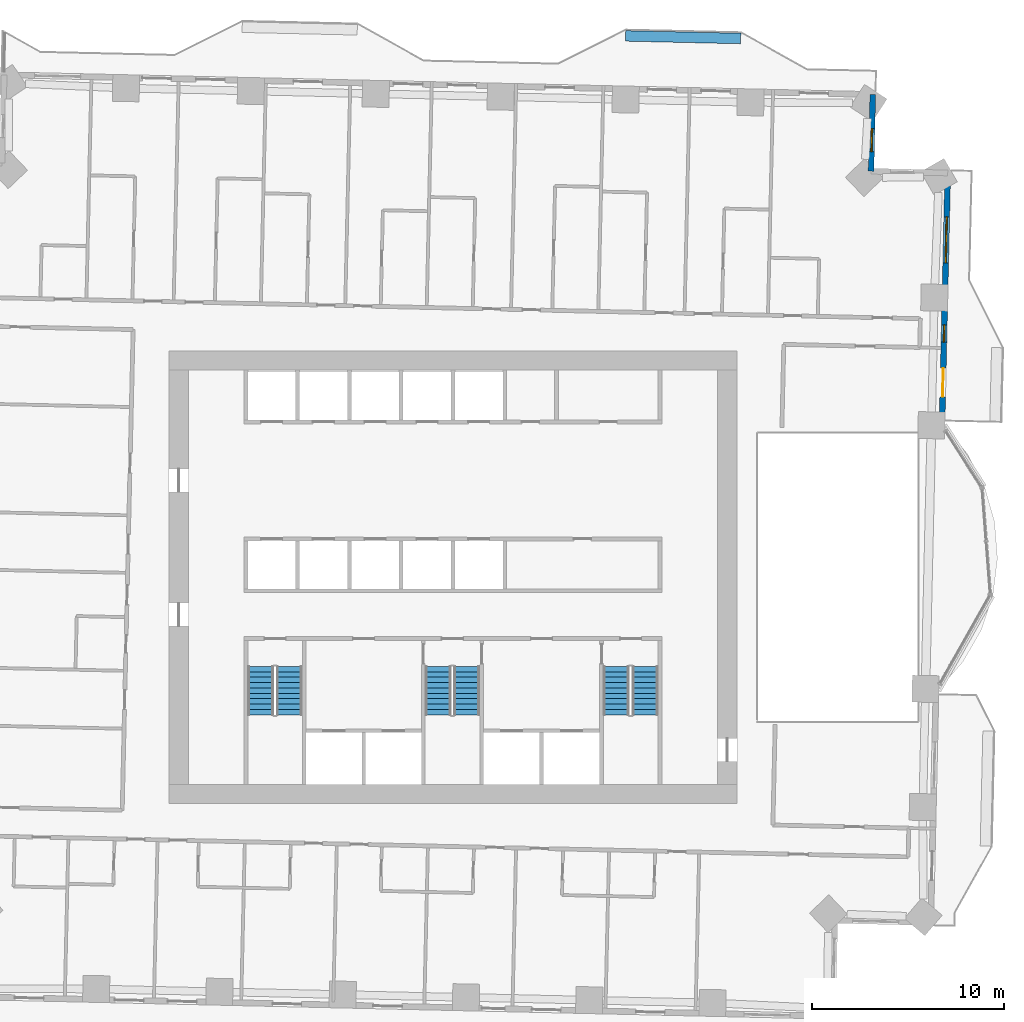
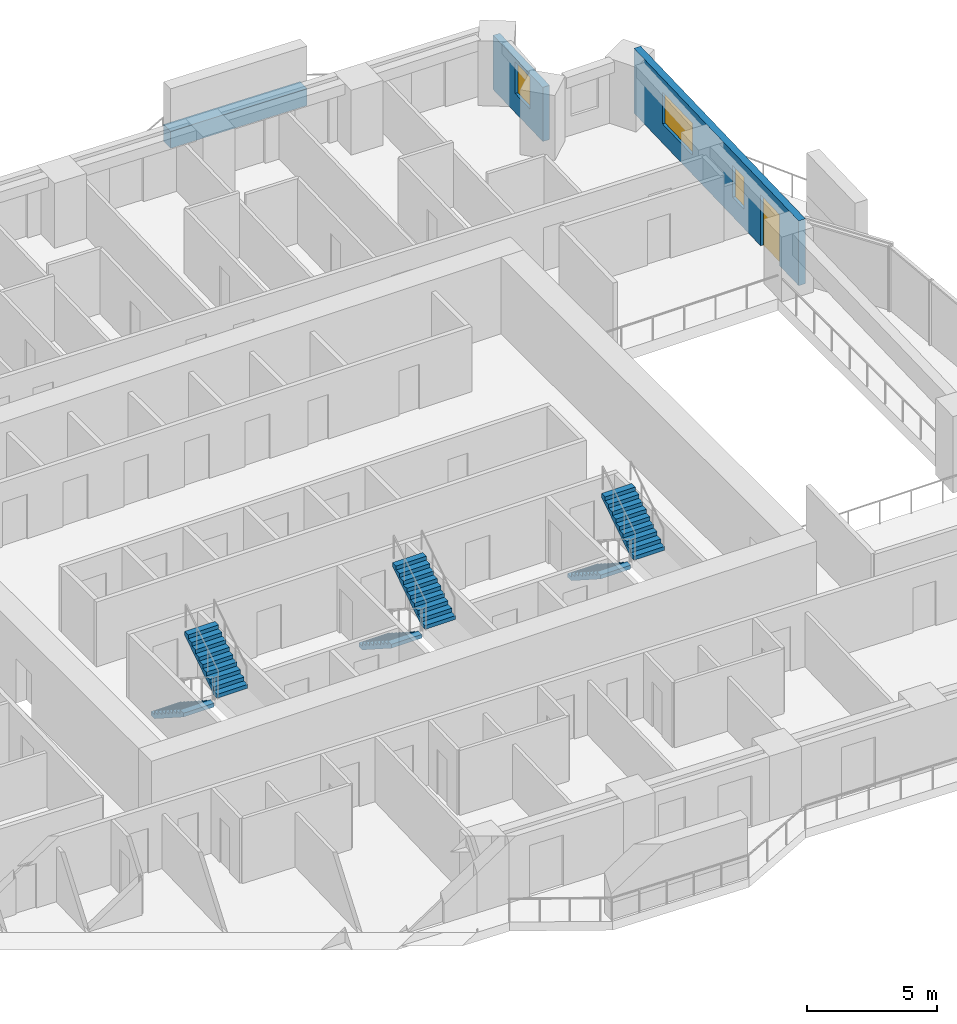
# One storey, part 12 of 16: 6 stair flights, 3 walls, 3 windows, 1 door, 4 openings, 3 elements without a shape of their own.
"""IFC4 building model written with IfcOpenShell, lengths in metres."""

from ifc_helpers import new_model, si_unit, direction, frame, frame_2d, origin, place, context, subcontext, project, spatial, polyline, rectangle, outline, extrude, material, layer, layer_set, type_object, element, fill, aggregate, save


model = new_model("IFC4")

# Units and contexts
model_context = context("Model", 3, precision=1e-05, world=origin(), true_north=direction((0.0, 1.0)))
body_context = subcontext(model_context, "Body", "Model", "MODEL_VIEW")
ifc_project = project(units=[si_unit("LENGTHUNIT", "METRE"), si_unit("AREAUNIT", "SQUARE_METRE"), si_unit("VOLUMEUNIT", "CUBIC_METRE"), si_unit("PLANEANGLEUNIT", "RADIAN"), si_unit("MASSUNIT", "GRAM", prefix="KILO")], contexts=[model_context])

# Site, building, storey
site_placement = place(None, origin())
site = spatial("IfcSite", under=ifc_project, at=site_placement, CompositionType="ELEMENT")
building_placement = place(site_placement, origin())
building = spatial("IfcBuilding", under=site, at=building_placement, Name="Mangrove Gate Tower", CompositionType="ELEMENT")
storey_placement = place(building_placement, frame((0.0, 0.0, 109.10009765625)))
storey = spatial("IfcBuildingStorey", under=building, at=storey_placement, Name="L27", CompositionType="ELEMENT", Elevation=109.10009765625)

# Wall, openings, door, windows
ifc_material_1 = material(Name="Limestone", Category="masonry")
ifc_layer_1 = layer(ifc_material_1, 0.0400390625, Name="Limestone cladding")
ifc_material_2 = material(Name="Ventilated air gap")
ifc_layer_2 = layer(ifc_material_2, 0.0400390625, Name="Ventilated cavity")
ifc_material_3 = material(Name="Mineral wool insulation")
ifc_layer_3 = layer(ifc_material_3, 0.06005859375, Name="Insulation")
ifc_material_4 = material(Name="Breather membrane")
ifc_layer_4 = layer(ifc_material_4, 0.001953125, Name="Breather membrane")
ifc_material_5 = material(Name="Concrete C20/25 blockwork", Category="masonry")
ifc_layer_5 = layer(ifc_material_5, 0.14990234375, Name="Blockwork backing wall")
ifc_material_6 = material(Name="Gypsum plaster")
ifc_layer_6 = layer(ifc_material_6, 0.008056640625, Name="Internal plaster")
ifc_layer_set_1 = layer_set([ifc_layer_1, ifc_layer_2, ifc_layer_3, ifc_layer_4, ifc_layer_5, ifc_layer_6], Name="External wall 300 limestone cladding")
wall_type_1 = type_object("IfcWallType", Name="External wall 300 limestone cladding", PredefinedType="SOLIDWALL", material=ifc_layer_set_1)
wall_1_placement = place(storey_placement, frame((25.501953125, 7.85693359375, 0.0), z_axis=(0.0, 0.0, 1.0), x_axis=(0.022680323815, 0.999742768372, 0.0)))
wall_1 = element("IfcWall", 1, at=wall_1_placement, inside=storey, type_object=wall_type_1, Name="WALL-L27-E2", PredefinedType="SOLIDWALL", context=body_context, shape_type="SweptSolid", body=[
    extrude(rectangle(XDim=13.2294921875, YDim=0.300048828125, at=frame_2d((6.61474609375, 0.0))), origin(), (0.0, 0.0, 1.0), 3.0498046875),
])
opening_1_placement = place(wall_1_placement, frame((1.553955078125, 0.0, 0.0)))
opening_1 = element("IfcOpeningElement", 2, at=opening_1_placement, cuts=wall_1, Name="Opening BD1", PredefinedType="OPENING", context=body_context, shape_type="SweptSolid", body=[
    extrude(rectangle(XDim=1.5, YDim=2.39990234375, at=frame_2d((0.75, 1.199951171875))), frame((0.0, 0.159912109375, 0.0), z_axis=(0.0, -1.0, 0.0), x_axis=(1.0, 0.0, 0.0)), (0.0, 0.0, 1.0), 0.320068359375),
])
opening_2_placement = place(wall_1_placement, frame((4.403076171875, 0.0, 0.89990234375)))
opening_2 = element("IfcOpeningElement", 3, at=opening_2_placement, cuts=wall_1, Name="Opening W5", PredefinedType="OPENING", context=body_context, shape_type="SweptSolid", body=[
    extrude(rectangle(XDim=0.89990234375, YDim=1.5, at=frame_2d((0.449951171875, 0.75))), frame((0.0, 0.159912109375, 0.0), z_axis=(0.0, -1.0, 0.0), x_axis=(1.0, 0.0, 0.0)), (0.0, 0.0, 1.0), 0.320068359375),
])
opening_3_placement = place(wall_1_placement, frame((8.5380859375, 0.0, 0.89990234375)))
opening_3 = element("IfcOpeningElement", 4, at=opening_3_placement, cuts=wall_1, Name="Opening W2", PredefinedType="OPENING", context=body_context, shape_type="SweptSolid", body=[
    extrude(rectangle(XDim=2.39990234375, YDim=1.5, at=frame_2d((1.199951171875, 0.75))), frame((0.0, 0.159912109375, 0.0), z_axis=(0.0, -1.0, 0.0), x_axis=(1.0, 0.0, 0.0)), (0.0, 0.0, 1.0), 0.320068359375),
])
ifc_material_7 = material(Name="Aluminium frame with laminated clear glass", Category="aluminium")
door_type = type_object("IfcDoorType", Name="Balcony sliding door 1500x2400", OperationType="SLIDING_TO_LEFT", PredefinedType="DOOR", material=ifc_material_7)
door_placement = place(opening_1_placement, origin())
door = element("IfcDoor", 5, at=door_placement, inside=storey, type_object=door_type, Name="DOOR-L27-E2-1", OperationType="SLIDING_TO_LEFT", OverallHeight=2.39990234375, OverallWidth=1.5, PredefinedType="DOOR", context=body_context, shape_type="SweptSolid", body=[
    extrude(rectangle(XDim=1.5, YDim=2.39990234375, at=frame_2d((0.75, 1.199951171875))), frame((0.0, 0.02490234375, 0.0), z_axis=(0.0, -1.0, 0.0), x_axis=(1.0, 0.0, 0.0)), (0.0, 0.0, 1.0), 0.050048828125),
])
fill(opening_1, door)
ifc_material_8 = material(Name="Aluminium frame with double-glazed low-e glass", Category="aluminium")
window_type_1 = type_object("IfcWindowType", Name="Corner room window 2400x1500", PartitioningType="DOUBLE_PANEL_VERTICAL", PredefinedType="WINDOW", material=ifc_material_8)
window_1_placement = place(opening_3_placement, origin())
window_1 = element("IfcWindow", 6, at=window_1_placement, inside=storey, type_object=window_type_1, Name="WIN-L27-E2-3", OverallHeight=1.5, OverallWidth=2.39990234375, PartitioningType="DOUBLE_PANEL_VERTICAL", PredefinedType="WINDOW", context=body_context, shape_type="SweptSolid", body=[
    extrude(rectangle(XDim=2.39990234375, YDim=1.5, at=frame_2d((1.199951171875, 0.75))), frame((0.0, 0.030029296875, 0.0), z_axis=(0.0, -1.0, 0.0), x_axis=(1.0, 0.0, 0.0)), (0.0, 0.0, 1.0), 0.06005859375),
])
fill(opening_3, window_1)
ifc_material_9 = material(Name="Aluminium frame with double-glazed low-e glass", Category="aluminium")
window_type_2 = type_object("IfcWindowType", Name="Narrow window 900x1500", PartitioningType="SINGLE_PANEL", PredefinedType="WINDOW", material=ifc_material_9)
window_2_placement = place(opening_2_placement, origin())
window_2 = element("IfcWindow", 7, at=window_2_placement, inside=storey, type_object=window_type_2, Name="WIN-L27-E2-2", OverallHeight=1.5, OverallWidth=0.89990234375, PartitioningType="SINGLE_PANEL", PredefinedType="WINDOW", context=body_context, shape_type="SweptSolid", body=[
    extrude(rectangle(XDim=0.89990234375, YDim=1.5, at=frame_2d((0.449951171875, 0.75))), frame((0.0, 0.030029296875, 0.0), z_axis=(0.0, -1.0, 0.0), x_axis=(1.0, 0.0, 0.0)), (0.0, 0.0, 1.0), 0.06005859375),
])
fill(opening_2, window_2)

# Wall, opening, window
wall_2_placement = place(storey_placement, frame((21.802978515625, 21.174072265625, 0.0), z_axis=(0.0, 0.0, 1.0), x_axis=(0.022765770952, 0.999740826251, 0.0)))
wall_2 = element("IfcWall", 8, at=wall_2_placement, inside=storey, type_object=wall_type_1, Name="WALL-L27-E4", PredefinedType="SOLIDWALL", context=body_context, shape_type="SweptSolid", body=[
    extrude(rectangle(XDim=4.0, YDim=0.300048828125, at=frame_2d((2.0, 0.0))), origin(), (0.0, 0.0, 1.0), 2.5498046875),
])
opening_4_placement = place(wall_2_placement, frame((1.01806640625, 0.0, 0.89990234375)))
opening_4 = element("IfcOpeningElement", 9, at=opening_4_placement, cuts=wall_2, Name="Opening W1", PredefinedType="OPENING", context=body_context, shape_type="SweptSolid", body=[
    extrude(rectangle(XDim=1.199951171875, YDim=1.5, at=frame_2d((0.60009765625, 0.75))), frame((0.0, 0.159912109375, 0.0), z_axis=(0.0, -1.0, 0.0), x_axis=(1.0, 0.0, 0.0)), (0.0, 0.0, 1.0), 0.320068359375),
])
ifc_material_10 = material(Name="Aluminium frame with double-glazed low-e glass", Category="aluminium")
window_type_3 = type_object("IfcWindowType", Name="Side lite 1200x1500", PartitioningType="SINGLE_PANEL", PredefinedType="WINDOW", material=ifc_material_10)
window_3_placement = place(opening_4_placement, origin())
window_3 = element("IfcWindow", 10, at=window_3_placement, inside=storey, type_object=window_type_3, Name="WIN-L27-E4-1", OverallHeight=1.5, OverallWidth=1.199951171875, PartitioningType="SINGLE_PANEL", PredefinedType="WINDOW", context=body_context, shape_type="SweptSolid", body=[
    extrude(rectangle(XDim=1.199951171875, YDim=1.5, at=frame_2d((0.60009765625, 0.75))), frame((0.0, 0.030029296875, 0.0), z_axis=(0.0, -1.0, 0.0), x_axis=(1.0, 0.0, 0.0)), (0.0, 0.0, 1.0), 0.06005859375),
])
fill(opening_4, window_3)

# Wall
ifc_material_11 = material(Name="Concrete C32/40", Category="concrete")
ifc_layer_7 = layer(ifc_material_11, 0.199951171875, Name="Planter trough wall")
ifc_material_12 = material(Name="Bituminous waterproofing membrane")
ifc_layer_8 = layer(ifc_material_12, 0.0048828125, Name="Waterproofing")
ifc_material_13 = material(Name="Drainage board and gravel")
ifc_layer_9 = layer(ifc_material_13, 0.044921875, Name="Drainage layer")
ifc_material_14 = material(Name="Planting soil")
ifc_layer_10 = layer(ifc_material_14, 0.300048828125, Name="Growing medium")
ifc_layer_set_2 = layer_set([ifc_layer_7, ifc_layer_8, ifc_layer_9, ifc_layer_10], Name="Planter wall 550 C32/40")
wall_type_2 = type_object("IfcWallType", Name="Planter wall 550 C32/40", PredefinedType="USERDEFINED", material=ifc_layer_set_2)
wall_3_placement = place(storey_placement, frame((9.006103515625, 28.23095703125, 0.0), z_axis=(0.0, 0.0, 1.0), x_axis=(0.999743157205, -0.022663177671, 0.0)))
element("IfcWall", 11, at=wall_3_placement, inside=storey, type_object=wall_type_2, Name="PLANTER L27 N0.1", ObjectType="PLANTER", PredefinedType="USERDEFINED", context=body_context, shape_type="SweptSolid", body=[
    extrude(rectangle(XDim=6.000244140625, YDim=0.550048828125, at=frame_2d((3.0, 0.0))), origin(), (0.0, 0.0, 1.0), 0.7998046875),
])

# Stair, stair flights
ifc_material_15 = material(Name="Concrete C40/50", Category="concrete")
stair_type = type_object("IfcStairType", Name="Core stair 1350", PredefinedType="HALF_TURN_STAIR", material=ifc_material_15)
stair_1_placement = place(storey_placement, origin())
stair_1 = element("IfcStair", 12, at=stair_1_placement, inside=storey, type_object=stair_type, Name="L27 Stair 1", PredefinedType="HALF_TURN_STAIR")
ifc_material_16 = material(Name="Concrete C40/50", Category="concrete")
stair_flight_type = type_object("IfcStairFlightType", Name="Core stair flight 1350", PredefinedType="STRAIGHT", material=ifc_material_16)
stair_flight_1_placement = place(storey_placement, frame((-10.02490234375, -4.64990234375, 0.0), z_axis=(0.0, 0.0, 1.0), x_axis=(0.0, -1.0, 0.0)))
stair_flight_1 = element("IfcStairFlight", 13, at=stair_flight_1_placement, type_object=stair_flight_type, Name="ST1 flight 1", NumberOfRisers=10, NumberOfTreads=9, PredefinedType="STRAIGHT", RiserHeight=0.18, TreadLength=0.28, context=body_context, shape_type="SweptSolid", body=[
    extrude(outline(polyline([(0.0, 0.0), (0.0, 0.179931640625), (0.280029296875, 0.179931640625), (0.280029296875, 0.360107421875), (0.56005859375, 0.360107421875), (0.56005859375, 0.5400390625), (0.840087890625, 0.5400390625), (0.840087890625, 0.719970703125), (1.1201171875, 0.719970703125), (1.1201171875, 0.89990234375), (1.39990234375, 0.89990234375), (1.39990234375, 1.080078125), (1.679931640625, 1.080078125), (1.679931640625, 1.260009765625), (1.9599609375, 1.260009765625), (1.9599609375, 1.43994140625), (2.239990234375, 1.43994140625), (2.239990234375, 1.6201171875), (2.52001953125, 1.6201171875), (2.52001953125, 1.800048828125), (2.52001953125, 1.44189453125), (0.277099609375, 0.0), (0.0, 0.0)])), frame((0.0, 0.675048828125, 0.0), z_axis=(0.0, -1.0, 0.0), x_axis=(1.0, 0.0, 0.0)), (0.0, 0.0, 1.0), 1.35009765625),
])
stair_flight_2_placement = place(storey_placement, frame((-8.52490234375, -7.169921875, 1.7998046875), z_axis=(0.0, 0.0, 1.0), x_axis=(0.0, 1.0, 0.0)))
stair_flight_2 = element("IfcStairFlight", 14, at=stair_flight_2_placement, type_object=stair_flight_type, Name="ST1 flight 2", NumberOfRisers=10, NumberOfTreads=9, PredefinedType="STRAIGHT", RiserHeight=0.18, TreadLength=0.28, context=body_context, shape_type="SweptSolid", body=[
    extrude(outline(polyline([(0.0, 0.0), (0.0, 0.179931640625), (0.280029296875, 0.179931640625), (0.280029296875, 0.360107421875), (0.56005859375, 0.360107421875), (0.56005859375, 0.5400390625), (0.840087890625, 0.5400390625), (0.840087890625, 0.719970703125), (1.1201171875, 0.719970703125), (1.1201171875, 0.89990234375), (1.39990234375, 0.89990234375), (1.39990234375, 1.080078125), (1.679931640625, 1.080078125), (1.679931640625, 1.260009765625), (1.9599609375, 1.260009765625), (1.9599609375, 1.43994140625), (2.239990234375, 1.43994140625), (2.239990234375, 1.6201171875), (2.52001953125, 1.6201171875), (2.52001953125, 1.800048828125), (2.52001953125, 1.44189453125), (0.277099609375, 0.0), (0.0, 0.0)])), frame((0.0, 0.675048828125, 0.0), z_axis=(0.0, -1.0, 0.0), x_axis=(1.0, 0.0, 0.0)), (0.0, 0.0, 1.0), 1.35009765625),
])
aggregate(stair_1, [stair_flight_1, stair_flight_2])

stair_2_placement = place(storey_placement, origin())
stair_2 = element("IfcStair", 15, at=stair_2_placement, inside=storey, type_object=stair_type, Name="L27 Stair 2", PredefinedType="HALF_TURN_STAIR")
stair_flight_3_placement = place(storey_placement, frame((-0.77490234375, -4.64990234375, 0.0), z_axis=(0.0, 0.0, 1.0), x_axis=(0.0, -1.0, 0.0)))
stair_flight_3 = element("IfcStairFlight", 16, at=stair_flight_3_placement, type_object=stair_flight_type, Name="ST2 flight 1", NumberOfRisers=10, NumberOfTreads=9, PredefinedType="STRAIGHT", RiserHeight=0.18, TreadLength=0.28, context=body_context, shape_type="SweptSolid", body=[
    extrude(outline(polyline([(0.0, 0.0), (0.0, 0.179931640625), (0.280029296875, 0.179931640625), (0.280029296875, 0.360107421875), (0.56005859375, 0.360107421875), (0.56005859375, 0.5400390625), (0.840087890625, 0.5400390625), (0.840087890625, 0.719970703125), (1.1201171875, 0.719970703125), (1.1201171875, 0.89990234375), (1.39990234375, 0.89990234375), (1.39990234375, 1.080078125), (1.679931640625, 1.080078125), (1.679931640625, 1.260009765625), (1.9599609375, 1.260009765625), (1.9599609375, 1.43994140625), (2.239990234375, 1.43994140625), (2.239990234375, 1.6201171875), (2.52001953125, 1.6201171875), (2.52001953125, 1.800048828125), (2.52001953125, 1.44189453125), (0.277099609375, 0.0), (0.0, 0.0)])), frame((0.0, 0.675048828125, 0.0), z_axis=(0.0, -1.0, 0.0), x_axis=(1.0, 0.0, 0.0)), (0.0, 0.0, 1.0), 1.35009765625),
])
stair_flight_4_placement = place(storey_placement, frame((0.72509765625, -7.169921875, 1.7998046875), z_axis=(0.0, 0.0, 1.0), x_axis=(0.0, 1.0, 0.0)))
stair_flight_4 = element("IfcStairFlight", 17, at=stair_flight_4_placement, type_object=stair_flight_type, Name="ST2 flight 2", NumberOfRisers=10, NumberOfTreads=9, PredefinedType="STRAIGHT", RiserHeight=0.18, TreadLength=0.28, context=body_context, shape_type="SweptSolid", body=[
    extrude(outline(polyline([(0.0, 0.0), (0.0, 0.179931640625), (0.280029296875, 0.179931640625), (0.280029296875, 0.360107421875), (0.56005859375, 0.360107421875), (0.56005859375, 0.5400390625), (0.840087890625, 0.5400390625), (0.840087890625, 0.719970703125), (1.1201171875, 0.719970703125), (1.1201171875, 0.89990234375), (1.39990234375, 0.89990234375), (1.39990234375, 1.080078125), (1.679931640625, 1.080078125), (1.679931640625, 1.260009765625), (1.9599609375, 1.260009765625), (1.9599609375, 1.43994140625), (2.239990234375, 1.43994140625), (2.239990234375, 1.6201171875), (2.52001953125, 1.6201171875), (2.52001953125, 1.800048828125), (2.52001953125, 1.44189453125), (0.277099609375, 0.0), (0.0, 0.0)])), frame((0.0, 0.675048828125, 0.0), z_axis=(0.0, -1.0, 0.0), x_axis=(1.0, 0.0, 0.0)), (0.0, 0.0, 1.0), 1.35009765625),
])
aggregate(stair_2, [stair_flight_3, stair_flight_4])

stair_3_placement = place(storey_placement, origin())
stair_3 = element("IfcStair", 18, at=stair_3_placement, inside=storey, type_object=stair_type, Name="L27 Stair 3", PredefinedType="HALF_TURN_STAIR")
stair_flight_5_placement = place(storey_placement, frame((8.52490234375, -4.64990234375, 0.0), z_axis=(0.0, 0.0, 1.0), x_axis=(0.0, -1.0, 0.0)))
stair_flight_5 = element("IfcStairFlight", 19, at=stair_flight_5_placement, type_object=stair_flight_type, Name="ST3 flight 1", NumberOfRisers=10, NumberOfTreads=9, PredefinedType="STRAIGHT", RiserHeight=0.18, TreadLength=0.28, context=body_context, shape_type="SweptSolid", body=[
    extrude(outline(polyline([(0.0, 0.0), (0.0, 0.179931640625), (0.280029296875, 0.179931640625), (0.280029296875, 0.360107421875), (0.56005859375, 0.360107421875), (0.56005859375, 0.5400390625), (0.840087890625, 0.5400390625), (0.840087890625, 0.719970703125), (1.1201171875, 0.719970703125), (1.1201171875, 0.89990234375), (1.39990234375, 0.89990234375), (1.39990234375, 1.080078125), (1.679931640625, 1.080078125), (1.679931640625, 1.260009765625), (1.9599609375, 1.260009765625), (1.9599609375, 1.43994140625), (2.239990234375, 1.43994140625), (2.239990234375, 1.6201171875), (2.52001953125, 1.6201171875), (2.52001953125, 1.800048828125), (2.52001953125, 1.44189453125), (0.277099609375, 0.0), (0.0, 0.0)])), frame((0.0, 0.675048828125, 0.0), z_axis=(0.0, -1.0, 0.0), x_axis=(1.0, 0.0, 0.0)), (0.0, 0.0, 1.0), 1.35009765625),
])
stair_flight_6_placement = place(storey_placement, frame((10.02490234375, -7.169921875, 1.7998046875), z_axis=(0.0, 0.0, 1.0), x_axis=(0.0, 1.0, 0.0)))
stair_flight_6 = element("IfcStairFlight", 20, at=stair_flight_6_placement, type_object=stair_flight_type, Name="ST3 flight 2", NumberOfRisers=10, NumberOfTreads=9, PredefinedType="STRAIGHT", RiserHeight=0.18, TreadLength=0.28, context=body_context, shape_type="SweptSolid", body=[
    extrude(outline(polyline([(0.0, 0.0), (0.0, 0.179931640625), (0.280029296875, 0.179931640625), (0.280029296875, 0.360107421875), (0.56005859375, 0.360107421875), (0.56005859375, 0.5400390625), (0.840087890625, 0.5400390625), (0.840087890625, 0.719970703125), (1.1201171875, 0.719970703125), (1.1201171875, 0.89990234375), (1.39990234375, 0.89990234375), (1.39990234375, 1.080078125), (1.679931640625, 1.080078125), (1.679931640625, 1.260009765625), (1.9599609375, 1.260009765625), (1.9599609375, 1.43994140625), (2.239990234375, 1.43994140625), (2.239990234375, 1.6201171875), (2.52001953125, 1.6201171875), (2.52001953125, 1.800048828125), (2.52001953125, 1.44189453125), (0.277099609375, 0.0), (0.0, 0.0)])), frame((0.0, 0.675048828125, 0.0), z_axis=(0.0, -1.0, 0.0), x_axis=(1.0, 0.0, 0.0)), (0.0, 0.0, 1.0), 1.35009765625),
])
aggregate(stair_3, [stair_flight_5, stair_flight_6])

save(model, "model.ifc")
